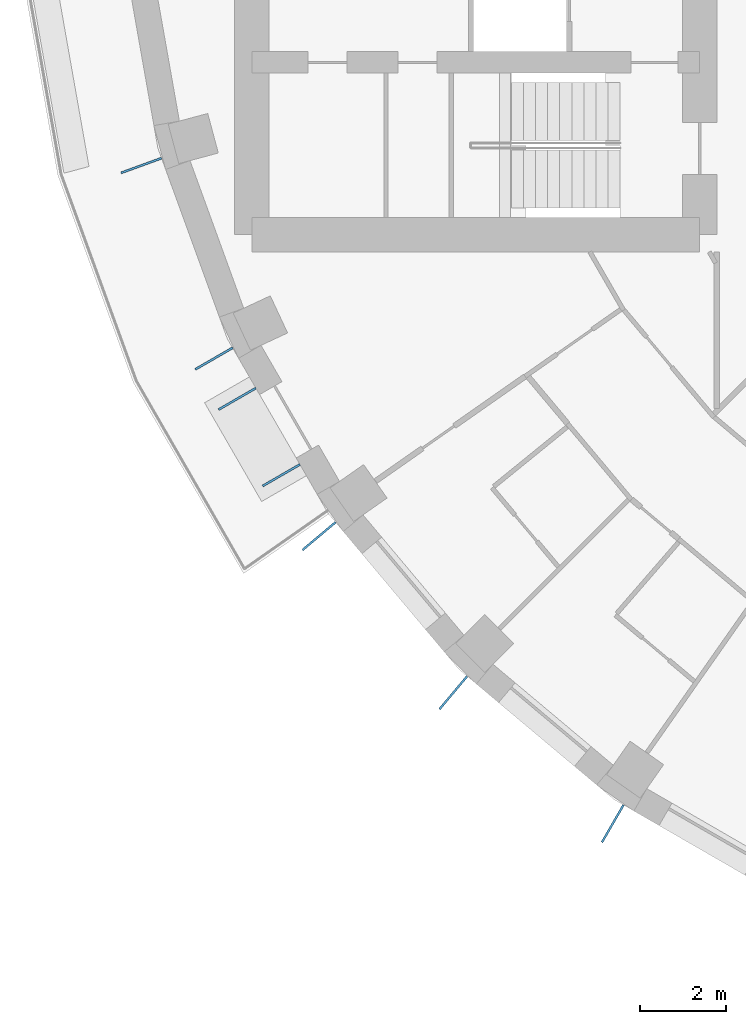
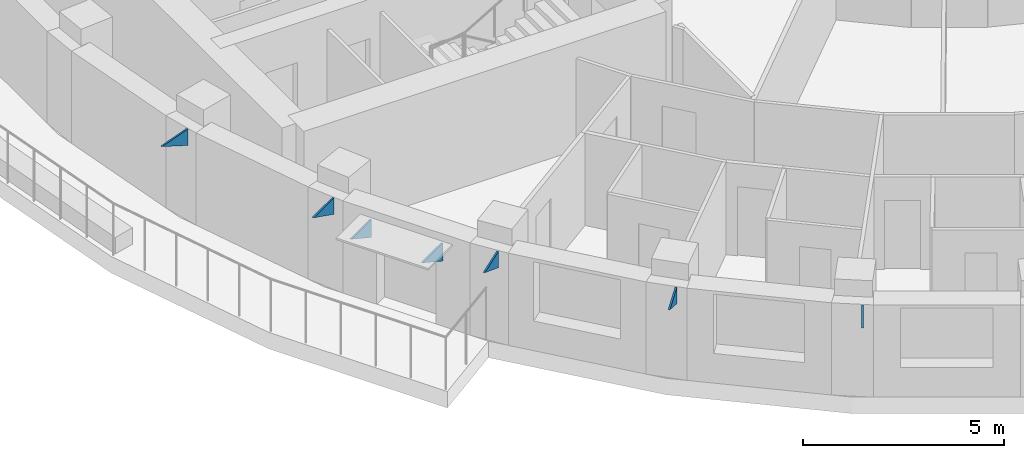
# One storey, part 12 of 13: 7 discrete accessories.
"""IFC4 building model written with IfcOpenShell, lengths in metres."""

from ifc_helpers import new_model, si_unit, direction, frame, origin, place, context, subcontext, project, spatial, polyline, outline, extrude, material, layer, layer_set, type_object, element, save


model = new_model("IFC4")

# Units and contexts
model_context = context("Model", 3, precision=1e-05, world=origin(), true_north=direction((0.0, 1.0)))
body_context = subcontext(model_context, "Body", "Model", "MODEL_VIEW")
ifc_project = project(units=[si_unit("LENGTHUNIT", "METRE"), si_unit("AREAUNIT", "SQUARE_METRE"), si_unit("VOLUMEUNIT", "CUBIC_METRE"), si_unit("PLANEANGLEUNIT", "RADIAN"), si_unit("MASSUNIT", "GRAM", prefix="KILO")], contexts=[model_context])

# Site, building, storey
site_placement = place(None, origin())
site = spatial("IfcSite", under=ifc_project, at=site_placement, CompositionType="ELEMENT")
building_placement = place(site_placement, origin())
building = spatial("IfcBuilding", under=site, at=building_placement, Name="Saqina Gate Tower", CompositionType="ELEMENT")
storey_placement = place(building_placement, frame((0.0, 0.0, 118.300048828125)))
storey = spatial("IfcBuildingStorey", under=building, at=storey_placement, Name="L33", CompositionType="ELEMENT", Elevation=118.300048828125)

# Discrete accessories
ifc_material_1 = material(Name="Galvanised steel", Category="steel")
ifc_layer_1 = layer(ifc_material_1, 0.050048828125)
ifc_layer_set_1 = layer_set([ifc_layer_1], Name="BR-AWNING")
discrete_accessory_type_1 = type_object("IfcDiscreteAccessoryType", Name="BR-AWNING", PredefinedType="BRACKET", material=ifc_layer_set_1)
for number, where, z_axis, x_axis, name in (
    (1, (-23.793212890625, -12.58349609375, 1.974853515625), (0.50002537861, -0.866010750942, 0.0), (0.0, 0.0, 1.0), "Awning bracket L33 facet 21"),
    (2, (-22.769287109375, -14.35693359375, 1.974853515625), (0.50002537861, -0.866010750942, 0.0), (0.0, 0.0, 1.0), "Awning bracket L33 facet 21"),
):
    element("IfcDiscreteAccessory", number, at=place(storey_placement, frame(where, z_axis=z_axis, x_axis=x_axis)), inside=storey, type_object=discrete_accessory_type_1, Name=name, PredefinedType="BRACKET", context=body_context, shape_type="SweptSolid", body=[
        extrude(outline(polyline([(0.0, 0.0), (0.550048828125, 0.0), (0.550048828125, 0.9999492453569568), (0.0, 0.0)])), origin(), (0.0, 0.0, -1.0), 0.050048828125),
    ])
ifc_material_2 = material(Name="Galvanised steel", Category="steel")
ifc_layer_2 = layer(ifc_material_2, 0.050048828125)
ifc_layer_set_2 = layer_set([ifc_layer_2], Name="BR-GUSSET")
discrete_accessory_type_2 = type_object("IfcDiscreteAccessoryType", Name="BR-GUSSET", PredefinedType="BRACKET", material=ifc_layer_set_2)
discrete_accessory_1_placement = place(storey_placement, frame((-25.98583984375, -7.24658203125, 2.300048828125), z_axis=(0.341821477669, -0.939764905391, 0.0), x_axis=(0.0, 0.0, 1.0)))
element("IfcDiscreteAccessory", 3, at=discrete_accessory_1_placement, inside=storey, type_object=discrete_accessory_type_2, Name="Terrace slab bracket L34 1", PredefinedType="BRACKET", context=body_context, shape_type="SweptSolid", body=[
    extrude(outline(polyline([(0.0, 0.0), (0.5, 0.0), (0.5, 0.999928024801219), (0.0, 0.0)])), origin(), (0.0, 0.0, -1.0), 0.050048828125),
])
discrete_accessory_2_placement = place(storey_placement, frame((-24.332763671875, -11.648681640625, 2.300048828125), z_axis=(0.50002537861, -0.866010750942, 0.0), x_axis=(0.0, 0.0, 1.0)))
element("IfcDiscreteAccessory", 4, at=discrete_accessory_2_placement, inside=storey, type_object=discrete_accessory_type_2, Name="Terrace slab bracket L34 2", PredefinedType="BRACKET", context=body_context, shape_type="SweptSolid", body=[
    extrude(outline(polyline([(0.0, 0.0), (0.5, 0.0), (0.5, 0.9999492453569568), (0.0, 0.0)])), origin(), (0.0, 0.0, -1.0), 0.050048828125),
])
for number, where, z_axis, x_axis, name in (
    (5, (-21.940185546875, -15.697265625, 2.300048828125), (0.64277405138, -0.766055819685, 0.0), (0.0, 0.0, 1.0), "Terrace slab bracket L34 3"),
    (6, (-18.881103515625, -19.2685546875, 2.300048828125), (0.766055819685, -0.64277405138, 0.0), (0.0, 0.0, 1.0), "Terrace slab bracket L34 4"),
):
    element("IfcDiscreteAccessory", number, at=place(storey_placement, frame(where, z_axis=z_axis, x_axis=x_axis)), inside=storey, type_object=discrete_accessory_type_2, Name=name, PredefinedType="BRACKET", context=body_context, shape_type="SweptSolid", body=[
        extrude(outline(polyline([(0.0, 0.0), (0.5, 0.0), (0.5, 1.0000750096322275), (0.0, 0.0)])), origin(), (0.0, 0.0, -1.0), 0.050048828125),
    ])
discrete_accessory_3_placement = place(storey_placement, frame((-15.248291015625, -22.254638671875, 2.300048828125), z_axis=(0.866010750942, -0.50002537861, 0.0), x_axis=(0.0, 0.0, 1.0)))
element("IfcDiscreteAccessory", 7, at=discrete_accessory_3_placement, inside=storey, type_object=discrete_accessory_type_2, Name="Terrace slab bracket L34 5", PredefinedType="BRACKET", context=body_context, shape_type="SweptSolid", body=[
    extrude(outline(polyline([(0.0, 0.0), (0.5, 0.0), (0.5, 0.9999492453569568), (0.0, 0.0)])), origin(), (0.0, 0.0, -1.0), 0.050048828125),
])

save(model, "model.ifc")
